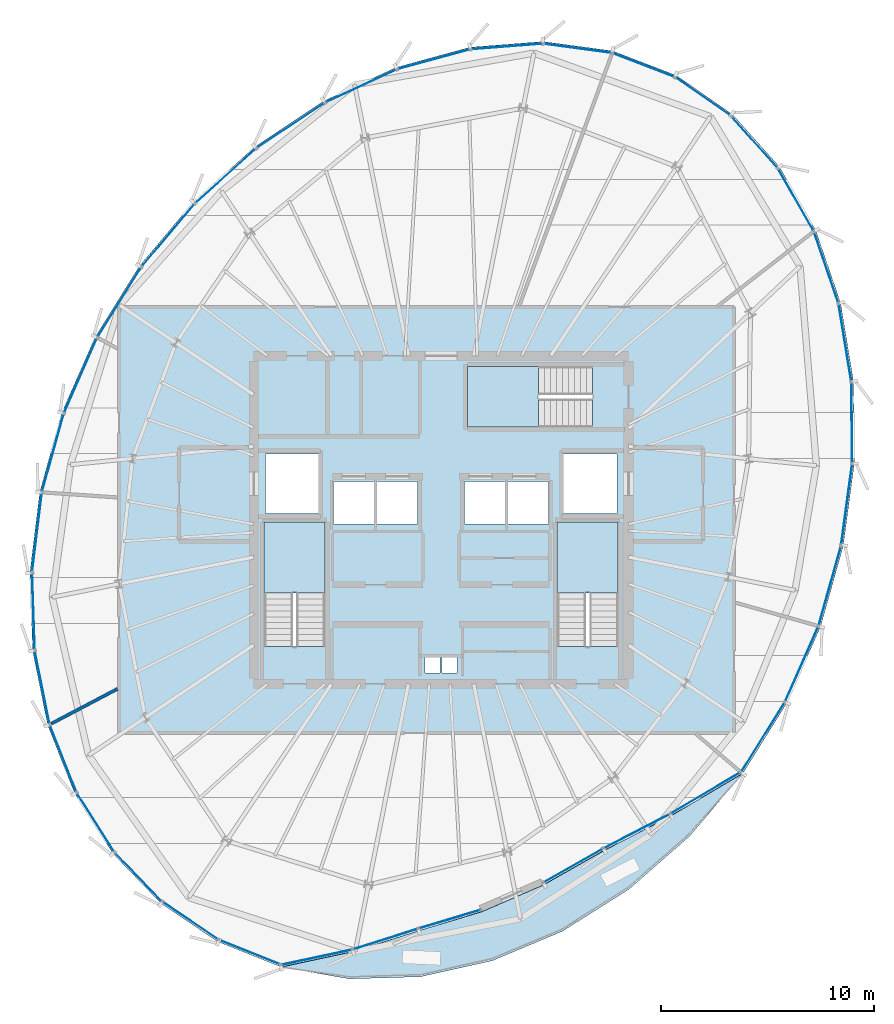
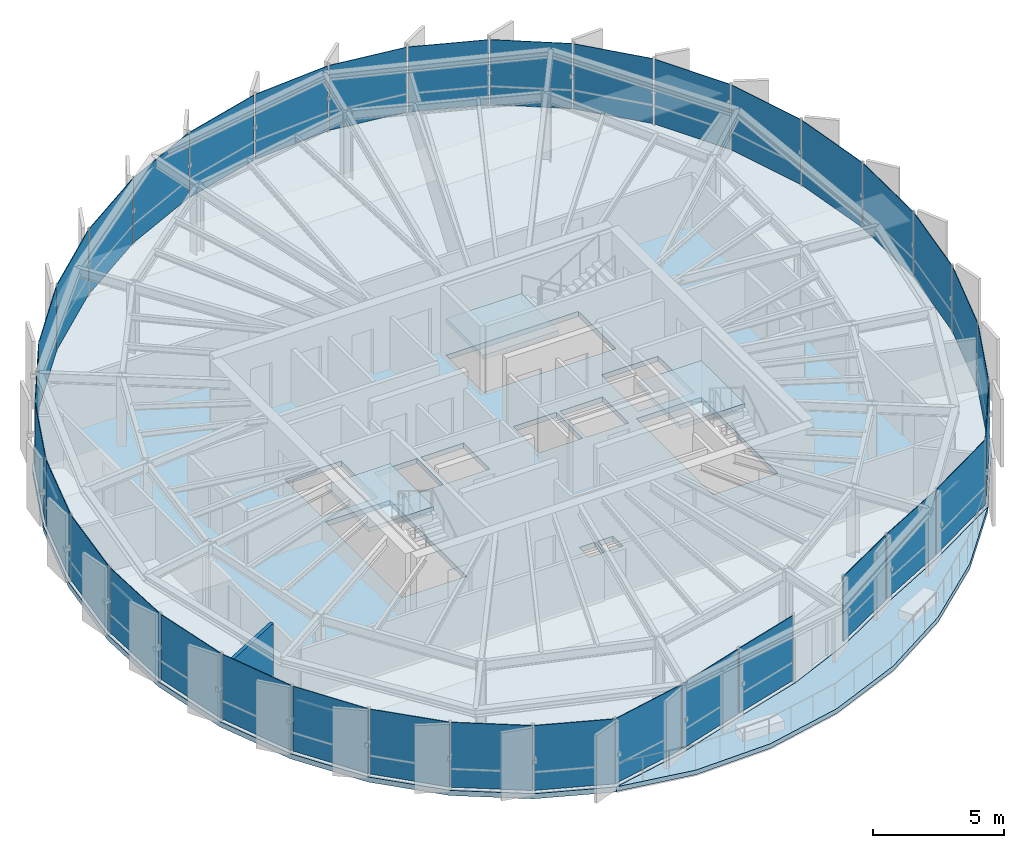
# One storey, part 24 of 31: 35 plates, 5 slabs, 1 wall, 10 elements without a shape of their own.
"""IFC4 building model written with IfcOpenShell, lengths in metres."""

from ifc_helpers import new_model, si_unit, direction, frame, frame_2d, origin, origin_2d, place, context, subcontext, project, spatial, polyline, rectangle, outline, extrude, source, transform, mapped, material, layer, layer_set, type_object, element, aggregate, save


model = new_model("IFC4")

# Units and contexts
model_context = context("Model", 3, precision=1e-05, world=origin(), true_north=direction((0.0, 1.0)))
body_context = subcontext(model_context, "Body", "Model", "MODEL_VIEW")
ifc_project = project(units=[si_unit("LENGTHUNIT", "METRE"), si_unit("AREAUNIT", "SQUARE_METRE"), si_unit("VOLUMEUNIT", "CUBIC_METRE"), si_unit("PLANEANGLEUNIT", "RADIAN"), si_unit("MASSUNIT", "GRAM", prefix="KILO"), si_unit("THERMODYNAMICTEMPERATUREUNIT", "KELVIN")], contexts=[model_context])

# Site, building, storey
site_placement = place(None, origin())
site = spatial("IfcSite", under=ifc_project, at=site_placement, CompositionType="ELEMENT")
building_placement = place(site_placement, origin())
building = spatial("IfcBuilding", under=site, at=building_placement, Name="Kethvar Cultural Tower", CompositionType="ELEMENT")
storey_placement = place(building_placement, frame((0.0, 0.0, 283.60009765625)))
storey = spatial("IfcBuildingStorey", under=building, at=storey_placement, Name="L75", CompositionType="ELEMENT", Elevation=283.60009765625)

# Stair, slab
ifc_material_1 = material(Name="Concrete C40/50", Category="concrete")
stair_type = type_object("IfcStairType", Name="ST-DOGLEG-135", PredefinedType="HALF_TURN_STAIR", material=ifc_material_1)
stair_1_placement = place(storey_placement, origin())
stair_1 = element("IfcStair", 1, at=stair_1_placement, inside=storey, type_object=stair_type, Name="L75 Core Exit Stair 1", PredefinedType="HALF_TURN_STAIR")
ifc_layer_1 = layer(ifc_material_1, 0.199951171875, Name="Concrete C40/50", Category="concrete")
ifc_layer_set_1 = layer_set([ifc_layer_1], Name="Concrete C40/50 (200 mm)")
slab_type_1 = type_object("IfcSlabType", Name="SL-STAIR-LANDING-200", PredefinedType="LANDING", material=ifc_layer_set_1)
slab_1_placement = place(storey_placement, frame((0.0, 0.0, 1.52490234375)))
slab_1 = element("IfcSlab", 2, at=slab_1_placement, type_object=slab_type_1, Name="ST-01 landing 1", PredefinedType="LANDING", context=body_context, shape_type="SweptSolid", body=[
    extrude(outline(polyline([(41.35009765625, 24.3701171875), (41.35009765625, 27.699951171875), (38.489990234375, 27.699951171875), (38.489990234375, 24.3701171875), (41.35009765625, 24.3701171875)])), origin(), (0.0, 0.0, 1.0), 0.199951171875),
])
aggregate(stair_1, [slab_1])

stair_2_placement = place(storey_placement, origin())
stair_2 = element("IfcStair", 3, at=stair_2_placement, inside=storey, type_object=stair_type, Name="L75 Core Exit Stair 2", PredefinedType="HALF_TURN_STAIR")
slab_2_placement = place(storey_placement, frame((0.0, 0.0, 1.52490234375)))
slab_2 = element("IfcSlab", 4, at=slab_2_placement, type_object=slab_type_1, Name="ST-02 landing 1", PredefinedType="LANDING", context=body_context, shape_type="SweptSolid", body=[
    extrude(outline(polyline([(55.110107421875, 24.3701171875), (55.110107421875, 27.699951171875), (52.25, 27.699951171875), (52.25, 24.3701171875), (55.110107421875, 24.3701171875)])), origin(), (0.0, 0.0, 1.0), 0.199951171875),
])
aggregate(stair_2, [slab_2])

stair_3_placement = place(storey_placement, origin())
stair_3 = element("IfcStair", 5, at=stair_3_placement, inside=storey, type_object=stair_type, Name="L75 Core Exit Stair 3", PredefinedType="HALF_TURN_STAIR")
slab_3_placement = place(storey_placement, frame((0.0, 0.0, 1.52490234375)))
slab_3 = element("IfcSlab", 6, at=slab_3_placement, type_object=slab_type_1, Name="ST-03 landing 1", PredefinedType="LANDING", context=body_context, shape_type="SweptSolid", body=[
    extrude(outline(polyline([(51.3798828125, 35.010009765625), (48.050048828125, 35.010009765625), (48.050048828125, 32.14990234375), (51.3798828125, 32.14990234375), (51.3798828125, 35.010009765625)])), origin(), (0.0, 0.0, 1.0), 0.199951171875),
])
aggregate(stair_3, [slab_3])

# Slabs
ifc_layer_2 = layer(ifc_material_1, 0.215087890625, Name="Concrete C40/50", Category="concrete")
ifc_layer_set_2 = layer_set([ifc_layer_2], Name="Concrete C40/50 (215 mm)")
slab_type_2 = type_object("IfcSlabType", Name="SL-TER-EXT", PredefinedType="FLOOR", material=ifc_layer_set_2)
slab_4_placement = place(storey_placement, frame((0.0, 0.0, -0.215087890625)))
element("IfcSlab", 7, at=slab_4_placement, inside=storey, type_object=slab_type_2, Name="L75 Spiralling Sky Terrace Deck", PredefinedType="FLOOR", context=body_context, shape_type="SweptSolid", body=[
    extrude(outline(polyline([(39.2919921875, 6.802001953125), (42.498779296875, 6.248291015625), (45.83642578125, 6.34912109375), (49.203369140625, 7.101806640625), (52.4970703125, 8.4833984375), (55.617919921875, 10.451904296875), (58.470703125, 12.94775390625), (60.96875, 15.89453125), (57.60400390625, 13.90673828125), (54.468994140625, 12.283447265625), (51.613037109375, 10.660888671875), (48.710693359375, 9.399658203125), (45.757080078125, 8.509765625), (42.676513671875, 7.528564453125), (39.2919921875, 6.802001953125)])), origin(), (0.0, 0.0, 1.0), 0.215087890625),
])
ifc_layer_3 = layer(ifc_material_1, 0.239990234375, Name="Concrete C40/50", Category="concrete")
ifc_layer_set_3 = layer_set([ifc_layer_3], Name="Concrete C40/50 (240 mm)")
slab_type_3 = type_object("IfcSlabType", Name="SL-TOW-240", PredefinedType="FLOOR", material=ifc_layer_set_3)
slab_5_placement = place(storey_placement, frame((0.0, 0.0, -0.239990234375)))
element("IfcSlab", 8, at=slab_5_placement, inside=storey, type_object=slab_type_3, Name="L75 Structural Floor Slab", PredefinedType="FLOOR", context=body_context, shape_type="SweptSolid", body=[
    extrude(outline(polyline([(57.84814453125, 48.66650390625), (54.848388671875, 49.818603515625), (51.581787109375, 50.259521484375), (48.155517578125, 49.990966796875), (44.68505859375, 49.042724609375), (41.288818359375, 47.4677734375), (38.08154296875, 45.33544921875), (35.167724609375, 42.724853515625), (32.63818359375, 39.71875), (30.563720703125, 36.396728515625), (28.9892578125, 32.826904296875), (27.9560546875, 29.104248046875), (27.49560546875, 25.342041015625), (27.62158203125, 21.654541015625), (28.330078125, 18.153564453125), (29.60009765625, 14.94580078125), (31.392578125, 12.12890625), (33.6533203125, 9.787841796875), (36.313232421875, 7.993896484375), (39.2919921875, 6.802001953125), (42.676513671875, 7.528564453125), (45.757080078125, 8.509765625), (48.710693359375, 9.399658203125), (51.613037109375, 10.660888671875), (54.468994140625, 12.283447265625), (57.60400390625, 13.90673828125), (60.96875, 15.89453125), (63.036376953125, 19.203369140625), (64.617919921875, 22.78662109375), (65.682373046875, 26.568359375), (66.203857421875, 30.445556640625), (66.16455078125, 34.296875), (65.558349609375, 37.9912109375), (64.391845703125, 41.394287109375), (62.68798828125, 44.37890625), (60.4873046875, 46.8330078125), (57.84814453125, 48.66650390625)]), holes=[polyline([(38.489990234375, 21.85009765625), (38.489990234375, 27.699951171875), (41.35009765625, 27.699951171875), (41.35009765625, 21.85009765625), (38.489990234375, 21.85009765625)]), polyline([(52.25, 21.85009765625), (52.25, 27.699951171875), (55.110107421875, 27.699951171875), (55.110107421875, 21.85009765625), (52.25, 21.85009765625)]), polyline([(53.89990234375, 32.14990234375), (48.050048828125, 32.14990234375), (48.050048828125, 35.010009765625), (53.89990234375, 35.010009765625), (53.89990234375, 32.14990234375)]), polyline([(41.75, 29.60009765625), (43.64990234375, 29.60009765625), (43.64990234375, 27.60009765625), (41.75, 27.60009765625), (41.75, 29.60009765625)]), polyline([(43.800048828125, 29.60009765625), (45.699951171875, 29.60009765625), (45.699951171875, 27.60009765625), (43.800048828125, 27.60009765625), (43.800048828125, 29.60009765625)]), polyline([(47.89990234375, 29.60009765625), (49.800048828125, 29.60009765625), (49.800048828125, 27.60009765625), (47.89990234375, 27.60009765625), (47.89990234375, 29.60009765625)]), polyline([(49.949951171875, 29.60009765625), (51.85009765625, 29.60009765625), (51.85009765625, 27.60009765625), (49.949951171875, 27.60009765625), (49.949951171875, 29.60009765625)]), polyline([(38.550048828125, 30.89990234375), (41.050048828125, 30.89990234375), (41.050048828125, 28.10009765625), (38.550048828125, 28.10009765625), (38.550048828125, 30.89990234375)]), polyline([(52.550048828125, 30.89990234375), (55.050048828125, 30.89990234375), (55.050048828125, 28.10009765625), (52.550048828125, 28.10009765625), (52.550048828125, 30.89990234375)]), polyline([(46.050048828125, 21.35009765625), (46.75, 21.35009765625), (46.75, 20.60009765625), (46.050048828125, 20.60009765625), (46.050048828125, 21.35009765625)]), polyline([(46.85009765625, 21.35009765625), (47.550048828125, 21.35009765625), (47.550048828125, 20.60009765625), (46.85009765625, 20.60009765625), (46.85009765625, 21.35009765625)])]), origin(), (0.0, 0.0, 1.0), 0.239990234375),
])

# Curtain wall, plate
ifc_material_2 = material(Name="Aluminium 6063-T6", Category="aluminium")
ifc_layer_4 = layer(ifc_material_2, 0.179931640625, Name="Aluminium 6063-T6", Category="aluminium")
ifc_layer_set_4 = layer_set([ifc_layer_4], Name="Aluminium 6063-T6 (180 mm)")
curtain_wall_type = type_object("IfcCurtainWallType", Name="CW-SYS-05-Z56", PredefinedType="NOTDEFINED", material=ifc_layer_set_4)
curtain_wall_1_placement = place(storey_placement, origin())
curtain_wall_1 = element("IfcCurtainWall", 9, at=curtain_wall_1_placement, inside=storey, type_object=curtain_wall_type, Name="L75 Curtain Wall Run 01", PredefinedType="NOTDEFINED")
ifc_material_3 = material(Name="Insulated Low-E Solar Glass", Category="glass")
ifc_layer_5 = layer(ifc_material_3, 0.028076171875, Name="Insulated Low-E Solar Glass", Category="glass")
ifc_layer_set_5 = layer_set([ifc_layer_5], Name="Insulated Low-E Solar Glass (28 mm)")
plate_type = type_object("IfcPlateType", Name="CW-SYS-05-Z56-PNL", PredefinedType="CURTAIN_PANEL", material=ifc_layer_set_5)
shared_shape_1 = source(origin(), body_context, "Body", "SweptSolid", [
    extrude(rectangle(XDim=3.13427734375, YDim=0.028076171875, at=origin_2d()), origin(), (0.0, 0.0, 1.0), 3.030029296875),
])
plate_1_placement = place(storey_placement, frame((56.3125, 49.149169921875, 0.08984375), z_axis=(0.0, 0.0, 1.0), x_axis=(-0.933517865272, 0.358530884609, 0.0)))
plate_1 = element("IfcPlate", 10, at=plate_1_placement, type_object=plate_type, Name="CW-L75-R01 Vision Glazing Panel 1", PredefinedType="CURTAIN_PANEL", context=body_context, shape_type="MappedRepresentation", body=[
    mapped(shared_shape_1, transform((0.0, 0.0, 0.0), scale=1.0)),
])

curtain_wall_2_placement = place(storey_placement, origin())
curtain_wall_2 = element("IfcCurtainWall", 11, at=curtain_wall_2_placement, inside=storey, type_object=curtain_wall_type, Name="L75 Curtain Wall Run 07", PredefinedType="NOTDEFINED")
plate_2_placement = place(storey_placement, frame((59.110595703125, 47.66748046875, 0.08984375), z_axis=(0.0, 0.0, 1.0), x_axis=(-0.82123884648, 0.570584574828, 0.0)))
plate_2 = element("IfcPlate", 12, at=plate_2_placement, type_object=plate_type, Name="CW-L75-R07 Vision Glazing Panel 1", PredefinedType="CURTAIN_PANEL", context=body_context, shape_type="MappedRepresentation", body=[
    mapped(shared_shape_1, transform((0.0, 0.0, 0.0), scale=1.0)),
])
aggregate(curtain_wall_2, [plate_2])

# Plate
shared_shape_2 = source(origin(), body_context, "Body", "SweptSolid", [
    extrude(rectangle(XDim=3.217041015625, YDim=0.028076171875, at=origin_2d()), origin(), (0.0, 0.0, 1.0), 3.030029296875),
])
plate_3_placement = place(storey_placement, frame((53.201904296875, 49.93994140625, 0.08984375), z_axis=(0.0, 0.0, 1.0), x_axis=(-0.991013574708, 0.133761335016, 0.0)))
plate_3 = element("IfcPlate", 13, at=plate_3_placement, type_object=plate_type, Name="CW-L75-R01 Vision Glazing Panel 2", PredefinedType="CURTAIN_PANEL", context=body_context, shape_type="MappedRepresentation", body=[
    mapped(shared_shape_2, transform((0.0, 0.0, 0.0), scale=1.0)),
])

# Curtain wall, plate
curtain_wall_3_placement = place(storey_placement, origin())
curtain_wall_3 = element("IfcCurtainWall", 14, at=curtain_wall_3_placement, inside=storey, type_object=curtain_wall_type, Name="L75 Curtain Wall Run 06", PredefinedType="NOTDEFINED")
plate_4_placement = place(storey_placement, frame((61.51318359375, 45.539306640625, 0.08984375), z_axis=(0.0, 0.0, 1.0), x_axis=(-0.667676652579, 0.744451400429, 0.0)))
plate_4 = element("IfcPlate", 15, at=plate_4_placement, type_object=plate_type, Name="CW-L75-R06 Vision Glazing Panel 6", PredefinedType="CURTAIN_PANEL", context=body_context, shape_type="MappedRepresentation", body=[
    mapped(shared_shape_2, transform((0.0, 0.0, 0.0), scale=1.0)),
])

# Plate
shared_shape_3 = source(origin(), body_context, "Body", "SweptSolid", [
    extrude(rectangle(XDim=3.357666015625, YDim=0.028076171875, at=origin_2d()), origin(), (0.0, 0.0, 1.0), 3.030029296875),
])
plate_5_placement = place(storey_placement, frame((49.87646484375, 50.025390625, 0.08984375), z_axis=(0.0, 0.0, 1.0), x_axis=(-0.99694329694, -0.078128501113, 0.0)))
plate_5 = element("IfcPlate", 16, at=plate_5_placement, type_object=plate_type, Name="CW-L75-R01 Vision Glazing Panel 3", PredefinedType="CURTAIN_PANEL", context=body_context, shape_type="MappedRepresentation", body=[
    mapped(shared_shape_3, transform((0.0, 0.0, 0.0), scale=1.0)),
])

shared_shape_4 = source(origin(), body_context, "Body", "SweptSolid", [
    extrude(rectangle(XDim=3.518310546875, YDim=0.028076171875, at=origin_2d()), origin(), (0.0, 0.0, 1.0), 3.030029296875),
])
plate_6_placement = place(storey_placement, frame((46.44677734375, 49.42041015625, 0.08984375), z_axis=(0.0, 0.0, 1.0), x_axis=(-0.964640269021, -0.263570012299, 0.0)))
plate_6 = element("IfcPlate", 17, at=plate_6_placement, type_object=plate_type, Name="CW-L75-R01 Vision Glazing Panel 4", PredefinedType="CURTAIN_PANEL", context=body_context, shape_type="MappedRepresentation", body=[
    mapped(shared_shape_4, transform((0.0, 0.0, 0.0), scale=1.0)),
])

plate_7_placement = place(storey_placement, frame((64.880615234375, 39.66015625, 0.08984375), z_axis=(0.0, 0.0, 1.0), x_axis=(-0.32421462369, 0.945983550484, 0.0)))
plate_7 = element("IfcPlate", 18, at=plate_7_placement, type_object=plate_type, Name="CW-L75-R06 Vision Glazing Panel 4", PredefinedType="CURTAIN_PANEL", context=body_context, shape_type="MappedRepresentation", body=[
    mapped(shared_shape_4, transform((0.0, 0.0, 0.0), scale=1.0)),
])

shared_shape_5 = source(origin(), body_context, "Body", "SweptSolid", [
    extrude(rectangle(XDim=3.664306640625, YDim=0.028076171875, at=origin_2d()), origin(), (0.0, 0.0, 1.0), 3.030029296875),
])
plate_8_placement = place(storey_placement, frame((43.029052734375, 48.16455078125, 0.08984375), z_axis=(0.0, 0.0, 1.0), x_axis=(-0.907190928252, -0.420719169633, 0.0)))
plate_8 = element("IfcPlate", 19, at=plate_8_placement, type_object=plate_type, Name="CW-L75-R01 Vision Glazing Panel 5", PredefinedType="CURTAIN_PANEL", context=body_context, shape_type="MappedRepresentation", body=[
    mapped(shared_shape_5, transform((0.0, 0.0, 0.0), scale=1.0)),
])

shared_shape_6 = source(origin(), body_context, "Body", "SweptSolid", [
    extrude(rectangle(XDim=3.7724609375, YDim=0.028076171875, at=origin_2d()), origin(), (0.0, 0.0, 1.0), 3.030029296875),
])
plate_9_placement = place(storey_placement, frame((39.740478515625, 46.318359375, 0.08984375), z_axis=(0.0, 0.0, 1.0), x_axis=(-0.832757009472, -0.553638657588, 0.0)))
plate_9 = element("IfcPlate", 20, at=plate_9_placement, type_object=plate_type, Name="CW-L75-R01 Vision Glazing Panel 6", PredefinedType="CURTAIN_PANEL", context=body_context, shape_type="MappedRepresentation", body=[
    mapped(shared_shape_6, transform((0.0, 0.0, 0.0), scale=1.0)),
])

aggregate(curtain_wall_1, [plate_1, plate_3, plate_5, plate_6, plate_8, plate_9])

# Curtain wall, plate
curtain_wall_4_placement = place(storey_placement, origin())
curtain_wall_4 = element("IfcCurtainWall", 21, at=curtain_wall_4_placement, inside=storey, type_object=curtain_wall_type, Name="L75 Curtain Wall Run 02", PredefinedType="NOTDEFINED")
shared_shape_7 = source(origin(), body_context, "Body", "SweptSolid", [
    extrude(rectangle(XDim=3.8330078125, YDim=0.028076171875, at=origin_2d()), origin(), (0.0, 0.0, 1.0), 3.030029296875),
])
plate_10_placement = place(storey_placement, frame((36.69140625, 43.95556640625, 0.08984375), z_axis=(0.0, 0.0, 1.0), x_axis=(-0.744800893043, -0.667286767232, 0.0)))
plate_10 = element("IfcPlate", 22, at=plate_10_placement, type_object=plate_type, Name="CW-L75-R02 Vision Glazing Panel 1", PredefinedType="CURTAIN_PANEL", context=body_context, shape_type="MappedRepresentation", body=[
    mapped(shared_shape_7, transform((0.0, 0.0, 0.0), scale=1.0)),
])

# Plate
plate_11_placement = place(storey_placement, frame((65.843994140625, 28.520263671875, 0.08984375), z_axis=(0.0, 0.0, 1.0), x_axis=(0.133311613564, 0.991074171639, 0.0)))
plate_11 = element("IfcPlate", 23, at=plate_11_placement, type_object=plate_type, Name="CW-L75-R06 Vision Glazing Panel 1", PredefinedType="CURTAIN_PANEL", context=body_context, shape_type="MappedRepresentation", body=[
    mapped(shared_shape_7, transform((0.0, 0.0, 0.0), scale=1.0)),
])

shared_shape_8 = source(origin(), body_context, "Body", "SweptSolid", [
    extrude(rectangle(XDim=3.849609375, YDim=0.028076171875, at=origin_2d()), origin(), (0.0, 0.0, 1.0), 3.030029296875),
])
plate_12_placement = place(storey_placement, frame((33.9794921875, 41.157470703125, 0.08984375), z_axis=(0.0, 0.0, 1.0), x_axis=(-0.643829873552, -0.765168670243, 0.0)))
plate_12 = element("IfcPlate", 24, at=plate_12_placement, type_object=plate_type, Name="CW-L75-R02 Vision Glazing Panel 2", PredefinedType="CURTAIN_PANEL", context=body_context, shape_type="MappedRepresentation", body=[
    mapped(shared_shape_8, transform((0.0, 0.0, 0.0), scale=1.0)),
])

# Curtain wall, plate
curtain_wall_5_placement = place(storey_placement, origin())
curtain_wall_5 = element("IfcCurtainWall", 25, at=curtain_wall_5_placement, inside=storey, type_object=curtain_wall_type, Name="L75 Curtain Wall Run 05", PredefinedType="NOTDEFINED")
plate_13_placement = place(storey_placement, frame((65.0537109375, 24.70458984375, 0.08984375), z_axis=(0.0, 0.0, 1.0), x_axis=(0.270953272746, 0.962592501523, 0.0)))
plate_13 = element("IfcPlate", 26, at=plate_13_placement, type_object=plate_type, Name="CW-L75-R05 Vision Glazing Panel 6", PredefinedType="CURTAIN_PANEL", context=body_context, shape_type="MappedRepresentation", body=[
    mapped(shared_shape_8, transform((0.0, 0.0, 0.0), scale=1.0)),
])

# Plate
shared_shape_9 = source(origin(), body_context, "Body", "SweptSolid", [
    extrude(rectangle(XDim=3.83740234375, YDim=0.028076171875, at=origin_2d()), origin(), (0.0, 0.0, 1.0), 3.030029296875),
])
plate_14_placement = place(storey_placement, frame((31.685791015625, 38.004638671875, 0.08984375), z_axis=(0.0, 0.0, 1.0), x_axis=(-0.529712031175, -0.848177554542, 0.0)))
plate_14 = element("IfcPlate", 27, at=plate_14_placement, type_object=plate_type, Name="CW-L75-R02 Vision Glazing Panel 3", PredefinedType="CURTAIN_PANEL", context=body_context, shape_type="MappedRepresentation", body=[
    mapped(shared_shape_9, transform((0.0, 0.0, 0.0), scale=1.0)),
])

plate_15_placement = place(storey_placement, frame((63.735595703125, 21.035400390625, 0.08984375), z_axis=(0.0, 0.0, 1.0), x_axis=(0.403768851126, 0.91486103582, 0.0)))
plate_15 = element("IfcPlate", 28, at=plate_15_placement, type_object=plate_type, Name="CW-L75-R05 Vision Glazing Panel 5", PredefinedType="CURTAIN_PANEL", context=body_context, shape_type="MappedRepresentation", body=[
    mapped(shared_shape_9, transform((0.0, 0.0, 0.0), scale=1.0)),
])

shared_shape_10 = source(origin(), body_context, "Body", "SweptSolid", [
    extrude(rectangle(XDim=3.822265625, YDim=0.028076171875, at=origin_2d()), origin(), (0.0, 0.0, 1.0), 3.030029296875),
])
plate_16_placement = place(storey_placement, frame((29.867919921875, 34.5712890625, 0.08984375), z_axis=(0.0, 0.0, 1.0), x_axis=(-0.403513357989, -0.914973753681, 0.0)))
plate_16 = element("IfcPlate", 29, at=plate_16_placement, type_object=plate_type, Name="CW-L75-R02 Vision Glazing Panel 4", PredefinedType="CURTAIN_PANEL", context=body_context, shape_type="MappedRepresentation", body=[
    mapped(shared_shape_10, transform((0.0, 0.0, 0.0), scale=1.0)),
])

shared_shape_11 = source(origin(), body_context, "Body", "SweptSolid", [
    extrude(rectangle(XDim=3.7841796875, YDim=0.028076171875, at=origin_2d()), origin(), (0.0, 0.0, 1.0), 3.030029296875),
])
plate_17_placement = place(storey_placement, frame((28.569091796875, 30.93896484375, 0.08984375), z_axis=(0.0, 0.0, 1.0), x_axis=(-0.267440192506, -0.9635744618, 0.0)))
plate_17 = element("IfcPlate", 30, at=plate_17_placement, type_object=plate_type, Name="CW-L75-R02 Vision Glazing Panel 5", PredefinedType="CURTAIN_PANEL", context=body_context, shape_type="MappedRepresentation", body=[
    mapped(shared_shape_11, transform((0.0, 0.0, 0.0), scale=1.0)),
])

shared_shape_12 = source(origin(), body_context, "Body", "SweptSolid", [
    extrude(rectangle(XDim=3.711181640625, YDim=0.028076171875, at=origin_2d()), origin(), (0.0, 0.0, 1.0), 3.030029296875),
])
plate_18_placement = place(storey_placement, frame((27.824951171875, 27.2109375, 0.08984375), z_axis=(0.0, 0.0, 1.0), x_axis=(-0.121522872021, -0.992588631597, 0.0)))
plate_18 = element("IfcPlate", 31, at=plate_18_placement, type_object=plate_type, Name="CW-L75-R02 Vision Glazing Panel 6", PredefinedType="CURTAIN_PANEL", context=body_context, shape_type="MappedRepresentation", body=[
    mapped(shared_shape_12, transform((0.0, 0.0, 0.0), scale=1.0)),
])

aggregate(curtain_wall_4, [plate_10, plate_12, plate_14, plate_16, plate_17, plate_18])

# Curtain wall, plates
curtain_wall_6_placement = place(storey_placement, origin())
curtain_wall_6 = element("IfcCurtainWall", 32, at=curtain_wall_6_placement, inside=storey, type_object=curtain_wall_type, Name="L75 Curtain Wall Run 03", PredefinedType="NOTDEFINED")
shared_shape_13 = source(origin(), body_context, "Body", "SweptSolid", [
    extrude(rectangle(XDim=3.6103515625, YDim=0.028076171875, at=origin_2d()), origin(), (0.0, 0.0, 1.0), 3.030029296875),
])
plate_19_placement = place(storey_placement, frame((27.658447265625, 23.501708984375, 0.08984375), z_axis=(0.0, 0.0, 1.0), x_axis=(0.034149452545, -0.999416737348, 0.0)))
plate_19 = element("IfcPlate", 33, at=plate_19_placement, type_object=plate_type, Name="CW-L75-R03 Vision Glazing Panel 1", PredefinedType="CURTAIN_PANEL", context=body_context, shape_type="MappedRepresentation", body=[
    mapped(shared_shape_13, transform((0.0, 0.0, 0.0), scale=1.0)),
])
shared_shape_14 = source(origin(), body_context, "Body", "SweptSolid", [
    extrude(rectangle(XDim=3.49267578125, YDim=0.028076171875, at=origin_2d()), origin(), (0.0, 0.0, 1.0), 3.030029296875),
])
plate_20_placement = place(storey_placement, frame((28.073974609375, 19.923828125, 0.08984375), z_axis=(0.0, 0.0, 1.0), x_axis=(0.198375863511, -0.980126020865, 0.0)))
plate_20 = element("IfcPlate", 34, at=plate_20_placement, type_object=plate_type, Name="CW-L75-R03 Vision Glazing Panel 2", PredefinedType="CURTAIN_PANEL", context=body_context, shape_type="MappedRepresentation", body=[
    mapped(shared_shape_14, transform((0.0, 0.0, 0.0), scale=1.0)),
])
shared_shape_15 = source(origin(), body_context, "Body", "SweptSolid", [
    extrude(rectangle(XDim=3.37060546875, YDim=0.028076171875, at=origin_2d()), origin(), (0.0, 0.0, 1.0), 3.030029296875),
])
plate_21_placement = place(storey_placement, frame((29.05810546875, 16.586669921875, 0.08984375), z_axis=(0.0, 0.0, 1.0), x_axis=(0.368092097138, -0.929789335293, 0.0)))
plate_21 = element("IfcPlate", 35, at=plate_21_placement, type_object=plate_type, Name="CW-L75-R03 Vision Glazing Panel 3", PredefinedType="CURTAIN_PANEL", context=body_context, shape_type="MappedRepresentation", body=[
    mapped(shared_shape_15, transform((0.0, 0.0, 0.0), scale=1.0)),
])
shared_shape_16 = source(origin(), body_context, "Body", "SweptSolid", [
    extrude(rectangle(XDim=3.260009765625, YDim=0.028076171875, at=origin_2d()), origin(), (0.0, 0.0, 1.0), 3.030029296875),
])
plate_22_placement = place(storey_placement, frame((30.58056640625, 13.591064453125, 0.08984375), z_axis=(0.0, 0.0, 1.0), x_axis=(0.536828485928, -0.84369139897, 0.0)))
plate_22 = element("IfcPlate", 36, at=plate_22_placement, type_object=plate_type, Name="CW-L75-R03 Vision Glazing Panel 4", PredefinedType="CURTAIN_PANEL", context=body_context, shape_type="MappedRepresentation", body=[
    mapped(shared_shape_16, transform((0.0, 0.0, 0.0), scale=1.0)),
])
shared_shape_17 = source(origin(), body_context, "Body", "SweptSolid", [
    extrude(rectangle(XDim=3.17529296875, YDim=0.028076171875, at=origin_2d()), origin(), (0.0, 0.0, 1.0), 3.030029296875),
])
plate_23_placement = place(storey_placement, frame((32.5947265625, 11.02783203125, 0.08984375), z_axis=(0.0, 0.0, 1.0), x_axis=(0.694658370459, -0.719339800339, 0.0)))
plate_23 = element("IfcPlate", 37, at=plate_23_placement, type_object=plate_type, Name="CW-L75-R03 Vision Glazing Panel 5", PredefinedType="CURTAIN_PANEL", context=body_context, shape_type="MappedRepresentation", body=[
    mapped(shared_shape_17, transform((0.0, 0.0, 0.0), scale=1.0)),
])
shared_shape_18 = source(origin(), body_context, "Body", "SweptSolid", [
    extrude(rectangle(XDim=3.129150390625, YDim=0.028076171875, at=origin_2d()), origin(), (0.0, 0.0, 1.0), 3.030029296875),
])
plate_24_placement = place(storey_placement, frame((35.0390625, 8.973876953125, 0.08984375), z_axis=(0.0, 0.0, 1.0), x_axis=(0.829105884669, -0.559091613251, 0.0)))
plate_24 = element("IfcPlate", 38, at=plate_24_placement, type_object=plate_type, Name="CW-L75-R03 Vision Glazing Panel 6", PredefinedType="CURTAIN_PANEL", context=body_context, shape_type="MappedRepresentation", body=[
    mapped(shared_shape_18, transform((0.0, 0.0, 0.0), scale=1.0)),
])
aggregate(curtain_wall_6, [plate_19, plate_20, plate_21, plate_22, plate_23, plate_24])

curtain_wall_7_placement = place(storey_placement, origin())
curtain_wall_7 = element("IfcCurtainWall", 39, at=curtain_wall_7_placement, inside=storey, type_object=curtain_wall_type, Name="L75 Curtain Wall Run 04", PredefinedType="NOTDEFINED")
plate_25_placement = place(storey_placement, frame((37.83984375, 7.490966796875, 0.08984375), z_axis=(0.0, 0.0, 1.0), x_axis=(0.928433965099, -0.371497473008, 0.0)))
plate_25 = element("IfcPlate", 40, at=plate_25_placement, type_object=plate_type, Name="CW-L75-R04 Vision Glazing Panel 1", PredefinedType="CURTAIN_PANEL", context=body_context, shape_type="MappedRepresentation", body=[
    mapped(shared_shape_18, transform((0.0, 0.0, 0.0), scale=1.0)),
])
shared_shape_19 = source(origin(), body_context, "Body", "SweptSolid", [
    extrude(rectangle(XDim=3.38232421875, YDim=0.028076171875, at=origin_2d()), origin(), (0.0, 0.0, 1.0), 3.030029296875),
])
plate_26_placement = place(storey_placement, frame((40.96337890625, 7.26318359375, 0.08984375), z_axis=(0.0, 0.0, 1.0), x_axis=(0.977735650647, 0.209840409485, 0.0)))
plate_26 = element("IfcPlate", 41, at=plate_26_placement, type_object=plate_type, Name="CW-L75-R04 Vision Glazing Panel 2", PredefinedType="CURTAIN_PANEL", context=body_context, shape_type="MappedRepresentation", body=[
    mapped(shared_shape_19, transform((0.0, 0.0, 0.0), scale=1.0)),
])
shared_shape_20 = source(origin(), body_context, "Body", "SweptSolid", [
    extrude(rectangle(XDim=3.154052734375, YDim=0.028076171875, at=origin_2d()), origin(), (0.0, 0.0, 1.0), 3.030029296875),
])
plate_27_placement = place(storey_placement, frame((44.1865234375, 8.114501953125, 0.08984375), z_axis=(0.0, 0.0, 1.0), x_axis=(0.952836433704, 0.303484316904, 0.0)))
plate_27 = element("IfcPlate", 42, at=plate_27_placement, type_object=plate_type, Name="CW-L75-R04 Vision Glazing Panel 3", PredefinedType="CURTAIN_PANEL", context=body_context, shape_type="MappedRepresentation", body=[
    mapped(shared_shape_20, transform((0.0, 0.0, 0.0), scale=1.0)),
])
shared_shape_21 = source(origin(), body_context, "Body", "SweptSolid", [
    extrude(rectangle(XDim=3.00537109375, YDim=0.028076171875, at=origin_2d()), origin(), (0.0, 0.0, 1.0), 3.030029296875),
])
plate_28_placement = place(storey_placement, frame((47.205078125, 9.05029296875, 0.08984375), z_axis=(0.0, 0.0, 1.0), x_axis=(0.957470702993, 0.288530506031, 0.0)))
plate_28 = element("IfcPlate", 43, at=plate_28_placement, type_object=plate_type, Name="CW-L75-R04 Vision Glazing Panel 4", PredefinedType="CURTAIN_PANEL", context=body_context, shape_type="MappedRepresentation", body=[
    mapped(shared_shape_21, transform((0.0, 0.0, 0.0), scale=1.0)),
])
aggregate(curtain_wall_7, [plate_25, plate_26, plate_27, plate_28])

# Plate
shared_shape_22 = source(origin(), body_context, "Body", "SweptSolid", [
    extrude(rectangle(XDim=3.20556640625, YDim=0.028076171875, at=origin_2d()), origin(), (0.0, 0.0, 1.0), 3.030029296875),
])
plate_29_placement = place(storey_placement, frame((52.99169921875, 11.55908203125, 0.08984375), z_axis=(0.0, 0.0, 1.0), x_axis=(0.869451821635, 0.49401774245, 0.0)))
plate_29 = element("IfcPlate", 44, at=plate_29_placement, type_object=plate_type, Name="CW-L75-R05 Vision Glazing Panel 1", PredefinedType="CURTAIN_PANEL", context=body_context, shape_type="MappedRepresentation", body=[
    mapped(shared_shape_22, transform((0.0, 0.0, 0.0), scale=1.0)),
])

shared_shape_23 = source(origin(), body_context, "Body", "SweptSolid", [
    extrude(rectangle(XDim=3.451171875, YDim=0.028076171875, at=origin_2d()), origin(), (0.0, 0.0, 1.0), 3.030029296875),
])
plate_30_placement = place(storey_placement, frame((55.990478515625, 13.183837890625, 0.08984375), z_axis=(0.0, 0.0, 1.0), x_axis=(0.888032150591, 0.459781360558, 0.0)))
plate_30 = element("IfcPlate", 45, at=plate_30_placement, type_object=plate_type, Name="CW-L75-R05 Vision Glazing Panel 2", PredefinedType="CURTAIN_PANEL", context=body_context, shape_type="MappedRepresentation", body=[
    mapped(shared_shape_23, transform((0.0, 0.0, 0.0), scale=1.0)),
])

shared_shape_24 = source(origin(), body_context, "Body", "SweptSolid", [
    extrude(rectangle(XDim=3.8291015625, YDim=0.028076171875, at=origin_2d()), origin(), (0.0, 0.0, 1.0), 3.030029296875),
])
plate_31_placement = place(storey_placement, frame((59.235595703125, 14.98681640625, 0.08984375), z_axis=(0.0, 0.0, 1.0), x_axis=(0.860972934041, 0.508650771011, 0.0)))
plate_31 = element("IfcPlate", 46, at=plate_31_placement, type_object=plate_type, Name="CW-L75-R05 Vision Glazing Panel 3", PredefinedType="CURTAIN_PANEL", context=body_context, shape_type="MappedRepresentation", body=[
    mapped(shared_shape_24, transform((0.0, 0.0, 0.0), scale=1.0)),
])

shared_shape_25 = source(origin(), body_context, "Body", "SweptSolid", [
    extrude(rectangle(XDim=3.822509765625, YDim=0.028076171875, at=origin_2d()), origin(), (0.0, 0.0, 1.0), 3.030029296875),
])
plate_32_placement = place(storey_placement, frame((61.917724609375, 17.601806640625, 0.08984375), z_axis=(0.0, 0.0, 1.0), x_axis=(0.529934065384, 0.848038847191, 0.0)))
plate_32 = element("IfcPlate", 47, at=plate_32_placement, type_object=plate_type, Name="CW-L75-R05 Vision Glazing Panel 4", PredefinedType="CURTAIN_PANEL", context=body_context, shape_type="MappedRepresentation", body=[
    mapped(shared_shape_25, transform((0.0, 0.0, 0.0), scale=1.0)),
])

aggregate(curtain_wall_5, [plate_29, plate_30, plate_31, plate_32, plate_15, plate_13])

shared_shape_26 = source(origin(), body_context, "Body", "SweptSolid", [
    extrude(rectangle(XDim=3.772216796875, YDim=0.028076171875, at=origin_2d()), origin(), (0.0, 0.0, 1.0), 3.030029296875),
])
plate_33_placement = place(storey_placement, frame((66.084228515625, 32.3701171875, 0.08984375), z_axis=(0.0, 0.0, 1.0), x_axis=(-0.010175093955, 0.999948232392, 0.0)))
plate_33 = element("IfcPlate", 48, at=plate_33_placement, type_object=plate_type, Name="CW-L75-R06 Vision Glazing Panel 2", PredefinedType="CURTAIN_PANEL", context=body_context, shape_type="MappedRepresentation", body=[
    mapped(shared_shape_26, transform((0.0, 0.0, 0.0), scale=1.0)),
])

shared_shape_27 = source(origin(), body_context, "Body", "SweptSolid", [
    extrude(rectangle(XDim=3.66455078125, YDim=0.028076171875, at=origin_2d()), origin(), (0.0, 0.0, 1.0), 3.030029296875),
])
plate_34_placement = place(storey_placement, frame((65.7626953125, 36.127685546875, 0.08984375), z_axis=(0.0, 0.0, 1.0), x_axis=(-0.161948288881, 0.98679924591, 0.0)))
plate_34 = element("IfcPlate", 49, at=plate_34_placement, type_object=plate_type, Name="CW-L75-R06 Vision Glazing Panel 3", PredefinedType="CURTAIN_PANEL", context=body_context, shape_type="MappedRepresentation", body=[
    mapped(shared_shape_27, transform((0.0, 0.0, 0.0), scale=1.0)),
])

shared_shape_28 = source(origin(), body_context, "Body", "SweptSolid", [
    extrude(rectangle(XDim=3.357421875, YDim=0.028076171875, at=origin_2d()), origin(), (0.0, 0.0, 1.0), 3.030029296875),
])
plate_35_placement = place(storey_placement, frame((63.453125, 42.837158203125, 0.08984375), z_axis=(0.0, 0.0, 1.0), x_axis=(-0.495761847839, 0.86845851382, 0.0)))
plate_35 = element("IfcPlate", 50, at=plate_35_placement, type_object=plate_type, Name="CW-L75-R06 Vision Glazing Panel 5", PredefinedType="CURTAIN_PANEL", context=body_context, shape_type="MappedRepresentation", body=[
    mapped(shared_shape_28, transform((0.0, 0.0, 0.0), scale=1.0)),
])

aggregate(curtain_wall_3, [plate_11, plate_33, plate_34, plate_7, plate_35, plate_4])

# Wall
ifc_material_4 = material(Name="Gypsum Acoustic Partition")
ifc_layer_6 = layer(ifc_material_4, 0.14990234375, Name="Gypsum Acoustic Partition")
ifc_layer_set_6 = layer_set([ifc_layer_6], Name="Gypsum Acoustic Partition (150 mm)")
wall_type = type_object("IfcWallType", Name="WL-PART-150", PredefinedType="PARTITIONING", material=ifc_layer_set_6)
wall_placement = place(storey_placement, frame((31.609130859375, 19.865966796875, 0.0), z_axis=(0.0, 0.0, 1.0), x_axis=(-0.885085653162, -0.465428175519, 0.0)))
element("IfcWall", 51, at=wall_placement, inside=storey, type_object=wall_type, Name="L75 Radial Partition Wall 01", PredefinedType="PARTITIONING", context=body_context, shape_type="SweptSolid", body=[
    extrude(rectangle(XDim=3.509765625, YDim=0.14990234375, at=frame_2d((1.7548828125, 0.0))), origin(), (0.0, 0.0, 1.0), 2.454833984375),
])

save(model, "model.ifc")
